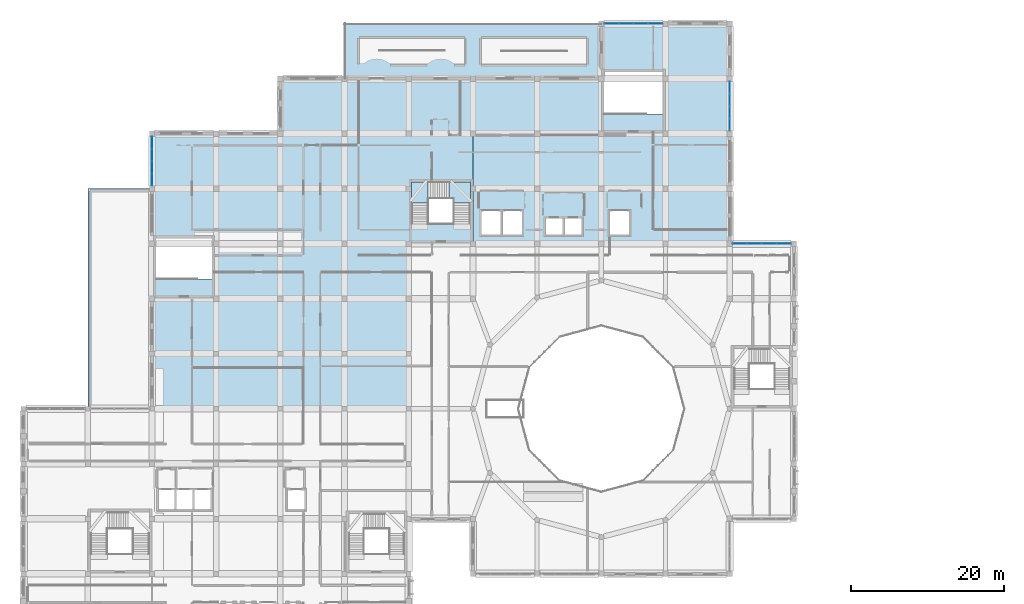
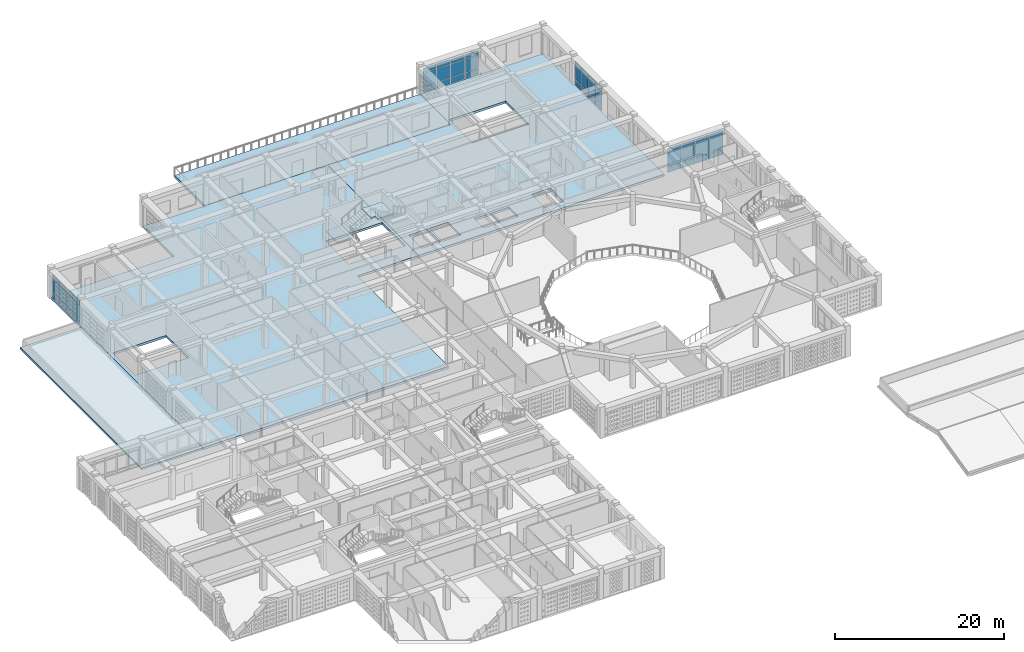
# One storey, part 34 of 79: 48 plates, 6 slabs, 5 elements without a shape of their own.
"""IFC4 building model written with IfcOpenShell, lengths in metres."""

from ifc_helpers import new_model, si_unit, derived_unit, direction, frame, origin, origin_2d, place, context, subcontext, project, spatial, polyline, rectangle, outline, extrude, material, layer, layer_set, type_object, element, aggregate, save


model = new_model("IFC4")

# Units and contexts
model_context = context("Model", 3, precision=1e-05, world=origin(), true_north=direction((0.0, 1.0)))
body_context = subcontext(model_context, "Body", "Model", "MODEL_VIEW")
ifc_project = project(units=[si_unit("LENGTHUNIT", "METRE"), si_unit("AREAUNIT", "SQUARE_METRE"), si_unit("VOLUMEUNIT", "CUBIC_METRE"), si_unit("PLANEANGLEUNIT", "RADIAN"), si_unit("MASSUNIT", "GRAM", prefix="KILO"), derived_unit("THERMALTRANSMITTANCEUNIT", [(si_unit("POWERUNIT", "WATT"), 1), (si_unit("LENGTHUNIT", "METRE"), -2), (si_unit("THERMODYNAMICTEMPERATUREUNIT", "KELVIN"), -1)])], contexts=[model_context])

# Site, building, storey
site_placement = place(None, origin())
site = spatial("IfcSite", under=ifc_project, at=site_placement, CompositionType="ELEMENT")
building_placement = place(site_placement, origin())
building = spatial("IfcBuilding", under=site, at=building_placement, Name="Veybourne Emporium", CompositionType="ELEMENT")
storey_placement = place(building_placement, frame((0.0, 0.0, 18.89990234375)))
storey = spatial("IfcBuildingStorey", under=building, at=storey_placement, Name="L04", CompositionType="ELEMENT", Elevation=18.89990234375)

# Curtain wall, plates
ifc_material_1 = material(Name="Patinated Architectural Bronze", Category="bronze")
curtain_wall_type_1 = type_object("IfcCurtainWallType", Name="CWSystem_CWS-27", PredefinedType="NOTDEFINED", material=ifc_material_1)
curtain_wall_1_placement = place(storey_placement, origin())
curtain_wall_1 = element("IfcCurtainWall", 1, at=curtain_wall_1_placement, inside=storey, type_object=curtain_wall_type_1, Name="L04 bronze glazed curtain wall CWS-27 (018)", PredefinedType="NOTDEFINED")
ifc_material_2 = material(Name="Low-E Triple Glazing", Category="glass")
ifc_layer_1 = layer(ifc_material_2, 0.028076171875)
ifc_layer_set_1 = layer_set([ifc_layer_1], Name="Low-E Triple Glazing")
plate_type = type_object("IfcPlateType", Name="CWPanel_CW-P1", PredefinedType="CURTAIN_PANEL", material=ifc_layer_set_1)
plate_1_placement = place(storey_placement, frame((16.800048828125, 80.382080078125, 0.078125), z_axis=(0.0, 0.0, 1.0), x_axis=(0.0, 1.0, 0.0)))
plate_1 = element("IfcPlate", 2, at=plate_1_placement, type_object=plate_type, Name="CWS-27 panel 1.1", PredefinedType="CURTAIN_PANEL", context=body_context, shape_type="SweptSolid", body=[
    extrude(rectangle(XDim=1.508056640625, YDim=0.028076171875, at=origin_2d()), origin(), (0.0, 0.0, 1.0), 0.782958984375),
])
plate_2_placement = place(storey_placement, frame((16.800048828125, 80.382080078125, 0.93896484375), z_axis=(0.0, 0.0, 1.0), x_axis=(0.0, 1.0, 0.0)))
plate_2 = element("IfcPlate", 3, at=plate_2_placement, type_object=plate_type, Name="CWS-27 panel 1.2", PredefinedType="CURTAIN_PANEL", context=body_context, shape_type="SweptSolid", body=[
    extrude(rectangle(XDim=1.508056640625, YDim=0.028076171875, at=origin_2d()), origin(), (0.0, 0.0, 1.0), 1.902099609375),
])
plate_3_placement = place(storey_placement, frame((16.800048828125, 80.382080078125, 2.9189453125), z_axis=(0.0, 0.0, 1.0), x_axis=(0.0, 1.0, 0.0)))
plate_3 = element("IfcPlate", 4, at=plate_3_placement, type_object=plate_type, Name="CWS-27 panel 1.3", PredefinedType="CURTAIN_PANEL", context=body_context, shape_type="SweptSolid", body=[
    extrude(rectangle(XDim=1.508056640625, YDim=0.028076171875, at=origin_2d()), origin(), (0.0, 0.0, 1.0), 0.633056640625),
])
plate_4_placement = place(storey_placement, frame((16.800048828125, 81.987548828125, 0.078125), z_axis=(0.0, 0.0, 1.0), x_axis=(0.0, 1.0, 0.0)))
plate_4 = element("IfcPlate", 5, at=plate_4_placement, type_object=plate_type, Name="CWS-27 panel 2.1", PredefinedType="CURTAIN_PANEL", context=body_context, shape_type="SweptSolid", body=[
    extrude(rectangle(XDim=1.547119140625, YDim=0.028076171875, at=origin_2d()), origin(), (0.0, 0.0, 1.0), 0.782958984375),
])
plate_5_placement = place(storey_placement, frame((16.800048828125, 81.987548828125, 0.93896484375), z_axis=(0.0, 0.0, 1.0), x_axis=(0.0, 1.0, 0.0)))
plate_5 = element("IfcPlate", 6, at=plate_5_placement, type_object=plate_type, Name="CWS-27 panel 2.2", PredefinedType="CURTAIN_PANEL", context=body_context, shape_type="SweptSolid", body=[
    extrude(rectangle(XDim=1.547119140625, YDim=0.028076171875, at=origin_2d()), origin(), (0.0, 0.0, 1.0), 1.902099609375),
])
plate_6_placement = place(storey_placement, frame((16.800048828125, 81.987548828125, 2.9189453125), z_axis=(0.0, 0.0, 1.0), x_axis=(0.0, 1.0, 0.0)))
plate_6 = element("IfcPlate", 7, at=plate_6_placement, type_object=plate_type, Name="CWS-27 panel 2.3", PredefinedType="CURTAIN_PANEL", context=body_context, shape_type="SweptSolid", body=[
    extrude(rectangle(XDim=1.547119140625, YDim=0.028076171875, at=origin_2d()), origin(), (0.0, 0.0, 1.0), 0.633056640625),
])
plate_7_placement = place(storey_placement, frame((16.800048828125, 83.612548828125, 0.078125), z_axis=(0.0, 0.0, 1.0), x_axis=(0.0, 1.0, 0.0)))
plate_7 = element("IfcPlate", 8, at=plate_7_placement, type_object=plate_type, Name="CWS-27 panel 3.1", PredefinedType="CURTAIN_PANEL", context=body_context, shape_type="SweptSolid", body=[
    extrude(rectangle(XDim=1.547119140625, YDim=0.028076171875, at=origin_2d()), origin(), (0.0, 0.0, 1.0), 0.782958984375),
])
plate_8_placement = place(storey_placement, frame((16.800048828125, 83.612548828125, 0.93896484375), z_axis=(0.0, 0.0, 1.0), x_axis=(0.0, 1.0, 0.0)))
plate_8 = element("IfcPlate", 9, at=plate_8_placement, type_object=plate_type, Name="CWS-27 panel 3.2", PredefinedType="CURTAIN_PANEL", context=body_context, shape_type="SweptSolid", body=[
    extrude(rectangle(XDim=1.547119140625, YDim=0.028076171875, at=origin_2d()), origin(), (0.0, 0.0, 1.0), 1.902099609375),
])
plate_9_placement = place(storey_placement, frame((16.800048828125, 83.612548828125, 2.9189453125), z_axis=(0.0, 0.0, 1.0), x_axis=(0.0, 1.0, 0.0)))
plate_9 = element("IfcPlate", 10, at=plate_9_placement, type_object=plate_type, Name="CWS-27 panel 3.3", PredefinedType="CURTAIN_PANEL", context=body_context, shape_type="SweptSolid", body=[
    extrude(rectangle(XDim=1.547119140625, YDim=0.028076171875, at=origin_2d()), origin(), (0.0, 0.0, 1.0), 0.633056640625),
])
plate_10_placement = place(storey_placement, frame((16.800048828125, 85.218017578125, 0.078125), z_axis=(0.0, 0.0, 1.0), x_axis=(0.0, 1.0, 0.0)))
plate_10 = element("IfcPlate", 11, at=plate_10_placement, type_object=plate_type, Name="CWS-27 panel 4.1", PredefinedType="CURTAIN_PANEL", context=body_context, shape_type="SweptSolid", body=[
    extrude(rectangle(XDim=1.508056640625, YDim=0.028076171875, at=origin_2d()), origin(), (0.0, 0.0, 1.0), 0.782958984375),
])
plate_11_placement = place(storey_placement, frame((16.800048828125, 85.218017578125, 0.93896484375), z_axis=(0.0, 0.0, 1.0), x_axis=(0.0, 1.0, 0.0)))
plate_11 = element("IfcPlate", 12, at=plate_11_placement, type_object=plate_type, Name="CWS-27 panel 4.2", PredefinedType="CURTAIN_PANEL", context=body_context, shape_type="SweptSolid", body=[
    extrude(rectangle(XDim=1.508056640625, YDim=0.028076171875, at=origin_2d()), origin(), (0.0, 0.0, 1.0), 1.902099609375),
])
plate_12_placement = place(storey_placement, frame((16.800048828125, 85.218017578125, 2.9189453125), z_axis=(0.0, 0.0, 1.0), x_axis=(0.0, 1.0, 0.0)))
plate_12 = element("IfcPlate", 13, at=plate_12_placement, type_object=plate_type, Name="CWS-27 panel 4.3", PredefinedType="CURTAIN_PANEL", context=body_context, shape_type="SweptSolid", body=[
    extrude(rectangle(XDim=1.508056640625, YDim=0.028076171875, at=origin_2d()), origin(), (0.0, 0.0, 1.0), 0.633056640625),
])
aggregate(curtain_wall_1, [plate_1, plate_2, plate_3, plate_4, plate_5, plate_6, plate_7, plate_8, plate_9, plate_10, plate_11, plate_12])

curtain_wall_type_2 = type_object("IfcCurtainWallType", Name="CWSystem_CWS-04", PredefinedType="NOTDEFINED", material=ifc_material_1)
curtain_wall_2_placement = place(storey_placement, origin())
curtain_wall_2 = element("IfcCurtainWall", 14, at=curtain_wall_2_placement, inside=storey, type_object=curtain_wall_type_2, Name="L04 bronze glazed curtain wall CWS-04 (039)", PredefinedType="NOTDEFINED")
plate_13_placement = place(storey_placement, frame((76.929931640625, 100.800048828125, 0.070068359375), z_axis=(0.0, 0.0, 1.0), x_axis=(1.0, 0.0, 0.0)))
plate_13 = element("IfcPlate", 15, at=plate_13_placement, type_object=plate_type, Name="CWS-04 panel 1.1", PredefinedType="CURTAIN_PANEL", context=body_context, shape_type="SweptSolid", body=[
    extrude(rectangle(XDim=1.820068359375, YDim=0.028076171875, at=origin_2d()), origin(), (0.0, 0.0, 1.0), 0.794921875),
])
plate_14_placement = place(storey_placement, frame((76.929931640625, 100.800048828125, 0.93505859375), z_axis=(0.0, 0.0, 1.0), x_axis=(1.0, 0.0, 0.0)))
plate_14 = element("IfcPlate", 16, at=plate_14_placement, type_object=plate_type, Name="CWS-04 panel 1.2", PredefinedType="CURTAIN_PANEL", context=body_context, shape_type="SweptSolid", body=[
    extrude(rectangle(XDim=1.820068359375, YDim=0.028076171875, at=origin_2d()), origin(), (0.0, 0.0, 1.0), 1.909912109375),
])
plate_15_placement = place(storey_placement, frame((76.929931640625, 100.800048828125, 2.9150390625), z_axis=(0.0, 0.0, 1.0), x_axis=(1.0, 0.0, 0.0)))
plate_15 = element("IfcPlate", 17, at=plate_15_placement, type_object=plate_type, Name="CWS-04 panel 1.3", PredefinedType="CURTAIN_PANEL", context=body_context, shape_type="SweptSolid", body=[
    extrude(rectangle(XDim=1.820068359375, YDim=0.028076171875, at=origin_2d()), origin(), (0.0, 0.0, 1.0), 0.64501953125),
])
plate_16_placement = place(storey_placement, frame((78.83740234375, 100.800048828125, 0.070068359375), z_axis=(0.0, 0.0, 1.0), x_axis=(1.0, 0.0, 0.0)))
plate_16 = element("IfcPlate", 18, at=plate_16_placement, type_object=plate_type, Name="CWS-04 panel 2.1", PredefinedType="CURTAIN_PANEL", context=body_context, shape_type="SweptSolid", body=[
    extrude(rectangle(XDim=1.85498046875, YDim=0.028076171875, at=origin_2d()), origin(), (0.0, 0.0, 1.0), 0.794921875),
])
plate_17_placement = place(storey_placement, frame((78.83740234375, 100.800048828125, 0.93505859375), z_axis=(0.0, 0.0, 1.0), x_axis=(1.0, 0.0, 0.0)))
plate_17 = element("IfcPlate", 19, at=plate_17_placement, type_object=plate_type, Name="CWS-04 panel 2.2", PredefinedType="CURTAIN_PANEL", context=body_context, shape_type="SweptSolid", body=[
    extrude(rectangle(XDim=1.85498046875, YDim=0.028076171875, at=origin_2d()), origin(), (0.0, 0.0, 1.0), 1.909912109375),
])
plate_18_placement = place(storey_placement, frame((78.83740234375, 100.800048828125, 2.9150390625), z_axis=(0.0, 0.0, 1.0), x_axis=(1.0, 0.0, 0.0)))
plate_18 = element("IfcPlate", 20, at=plate_18_placement, type_object=plate_type, Name="CWS-04 panel 2.3", PredefinedType="CURTAIN_PANEL", context=body_context, shape_type="SweptSolid", body=[
    extrude(rectangle(XDim=1.85498046875, YDim=0.028076171875, at=origin_2d()), origin(), (0.0, 0.0, 1.0), 0.64501953125),
])
plate_19_placement = place(storey_placement, frame((80.762451171875, 100.800048828125, 0.070068359375), z_axis=(0.0, 0.0, 1.0), x_axis=(1.0, 0.0, 0.0)))
plate_19 = element("IfcPlate", 21, at=plate_19_placement, type_object=plate_type, Name="CWS-04 panel 3.1", PredefinedType="CURTAIN_PANEL", context=body_context, shape_type="SweptSolid", body=[
    extrude(rectangle(XDim=1.85498046875, YDim=0.028076171875, at=origin_2d()), origin(), (0.0, 0.0, 1.0), 0.794921875),
])
plate_20_placement = place(storey_placement, frame((80.762451171875, 100.800048828125, 0.93505859375), z_axis=(0.0, 0.0, 1.0), x_axis=(1.0, 0.0, 0.0)))
plate_20 = element("IfcPlate", 22, at=plate_20_placement, type_object=plate_type, Name="CWS-04 panel 3.2", PredefinedType="CURTAIN_PANEL", context=body_context, shape_type="SweptSolid", body=[
    extrude(rectangle(XDim=1.85498046875, YDim=0.028076171875, at=origin_2d()), origin(), (0.0, 0.0, 1.0), 1.909912109375),
])
plate_21_placement = place(storey_placement, frame((80.762451171875, 100.800048828125, 2.9150390625), z_axis=(0.0, 0.0, 1.0), x_axis=(1.0, 0.0, 0.0)))
plate_21 = element("IfcPlate", 23, at=plate_21_placement, type_object=plate_type, Name="CWS-04 panel 3.3", PredefinedType="CURTAIN_PANEL", context=body_context, shape_type="SweptSolid", body=[
    extrude(rectangle(XDim=1.85498046875, YDim=0.028076171875, at=origin_2d()), origin(), (0.0, 0.0, 1.0), 0.64501953125),
])
plate_22_placement = place(storey_placement, frame((82.669921875, 100.800048828125, 0.070068359375), z_axis=(0.0, 0.0, 1.0), x_axis=(1.0, 0.0, 0.0)))
plate_22 = element("IfcPlate", 24, at=plate_22_placement, type_object=plate_type, Name="CWS-04 panel 4.1", PredefinedType="CURTAIN_PANEL", context=body_context, shape_type="SweptSolid", body=[
    extrude(rectangle(XDim=1.820068359375, YDim=0.028076171875, at=origin_2d()), origin(), (0.0, 0.0, 1.0), 0.794921875),
])
plate_23_placement = place(storey_placement, frame((82.669921875, 100.800048828125, 0.93505859375), z_axis=(0.0, 0.0, 1.0), x_axis=(1.0, 0.0, 0.0)))
plate_23 = element("IfcPlate", 25, at=plate_23_placement, type_object=plate_type, Name="CWS-04 panel 4.2", PredefinedType="CURTAIN_PANEL", context=body_context, shape_type="SweptSolid", body=[
    extrude(rectangle(XDim=1.820068359375, YDim=0.028076171875, at=origin_2d()), origin(), (0.0, 0.0, 1.0), 1.909912109375),
])
plate_24_placement = place(storey_placement, frame((82.669921875, 100.800048828125, 2.9150390625), z_axis=(0.0, 0.0, 1.0), x_axis=(1.0, 0.0, 0.0)))
plate_24 = element("IfcPlate", 26, at=plate_24_placement, type_object=plate_type, Name="CWS-04 panel 4.3", PredefinedType="CURTAIN_PANEL", context=body_context, shape_type="SweptSolid", body=[
    extrude(rectangle(XDim=1.820068359375, YDim=0.028076171875, at=origin_2d()), origin(), (0.0, 0.0, 1.0), 0.64501953125),
])
aggregate(curtain_wall_2, [plate_13, plate_14, plate_15, plate_16, plate_17, plate_18, plate_19, plate_20, plate_21, plate_22, plate_23, plate_24])

curtain_wall_type_3 = type_object("IfcCurtainWallType", Name="CWSystem_CWS-06", PredefinedType="NOTDEFINED", material=ifc_material_1)
curtain_wall_3_placement = place(storey_placement, origin())
curtain_wall_3 = element("IfcCurtainWall", 27, at=curtain_wall_3_placement, inside=storey, type_object=curtain_wall_type_3, Name="L04 bronze glazed curtain wall CWS-06 (045)", PredefinedType="NOTDEFINED")
plate_25_placement = place(storey_placement, frame((92.39990234375, 92.418701171875, 0.074951171875), z_axis=(0.0, 0.0, 1.0), x_axis=(0.0, -1.0, 0.0)))
plate_25 = element("IfcPlate", 28, at=plate_25_placement, type_object=plate_type, Name="CWS-06 panel 1.1", PredefinedType="CURTAIN_PANEL", context=body_context, shape_type="SweptSolid", body=[
    extrude(rectangle(XDim=1.512451171875, YDim=0.028076171875, at=origin_2d()), origin(), (0.0, 0.0, 1.0), 0.78759765625),
])
plate_26_placement = place(storey_placement, frame((92.39990234375, 92.418701171875, 0.9375), z_axis=(0.0, 0.0, 1.0), x_axis=(0.0, -1.0, 0.0)))
plate_26 = element("IfcPlate", 29, at=plate_26_placement, type_object=plate_type, Name="CWS-06 panel 1.2", PredefinedType="CURTAIN_PANEL", context=body_context, shape_type="SweptSolid", body=[
    extrude(rectangle(XDim=1.512451171875, YDim=0.028076171875, at=origin_2d()), origin(), (0.0, 0.0, 1.0), 1.905029296875),
])
plate_27_placement = place(storey_placement, frame((92.39990234375, 92.418701171875, 2.91748046875), z_axis=(0.0, 0.0, 1.0), x_axis=(0.0, -1.0, 0.0)))
plate_27 = element("IfcPlate", 30, at=plate_27_placement, type_object=plate_type, Name="CWS-06 panel 1.3", PredefinedType="CURTAIN_PANEL", context=body_context, shape_type="SweptSolid", body=[
    extrude(rectangle(XDim=1.512451171875, YDim=0.028076171875, at=origin_2d()), origin(), (0.0, 0.0, 1.0), 0.637451171875),
])
plate_28_placement = place(storey_placement, frame((92.39990234375, 90.8125, 0.074951171875), z_axis=(0.0, 0.0, 1.0), x_axis=(0.0, -1.0, 0.0)))
plate_28 = element("IfcPlate", 31, at=plate_28_placement, type_object=plate_type, Name="CWS-06 panel 2.1", PredefinedType="CURTAIN_PANEL", context=body_context, shape_type="SweptSolid", body=[
    extrude(rectangle(XDim=1.550048828125, YDim=0.028076171875, at=origin_2d()), origin(), (0.0, 0.0, 1.0), 0.78759765625),
])
plate_29_placement = place(storey_placement, frame((92.39990234375, 90.8125, 0.9375), z_axis=(0.0, 0.0, 1.0), x_axis=(0.0, -1.0, 0.0)))
plate_29 = element("IfcPlate", 32, at=plate_29_placement, type_object=plate_type, Name="CWS-06 panel 2.2", PredefinedType="CURTAIN_PANEL", context=body_context, shape_type="SweptSolid", body=[
    extrude(rectangle(XDim=1.550048828125, YDim=0.028076171875, at=origin_2d()), origin(), (0.0, 0.0, 1.0), 1.905029296875),
])
plate_30_placement = place(storey_placement, frame((92.39990234375, 90.8125, 2.91748046875), z_axis=(0.0, 0.0, 1.0), x_axis=(0.0, -1.0, 0.0)))
plate_30 = element("IfcPlate", 33, at=plate_30_placement, type_object=plate_type, Name="CWS-06 panel 2.3", PredefinedType="CURTAIN_PANEL", context=body_context, shape_type="SweptSolid", body=[
    extrude(rectangle(XDim=1.550048828125, YDim=0.028076171875, at=origin_2d()), origin(), (0.0, 0.0, 1.0), 0.637451171875),
])
plate_31_placement = place(storey_placement, frame((92.39990234375, 89.1875, 0.074951171875), z_axis=(0.0, 0.0, 1.0), x_axis=(0.0, -1.0, 0.0)))
plate_31 = element("IfcPlate", 34, at=plate_31_placement, type_object=plate_type, Name="CWS-06 panel 3.1", PredefinedType="CURTAIN_PANEL", context=body_context, shape_type="SweptSolid", body=[
    extrude(rectangle(XDim=1.550048828125, YDim=0.028076171875, at=origin_2d()), origin(), (0.0, 0.0, 1.0), 0.78759765625),
])
plate_32_placement = place(storey_placement, frame((92.39990234375, 89.1875, 0.9375), z_axis=(0.0, 0.0, 1.0), x_axis=(0.0, -1.0, 0.0)))
plate_32 = element("IfcPlate", 35, at=plate_32_placement, type_object=plate_type, Name="CWS-06 panel 3.2", PredefinedType="CURTAIN_PANEL", context=body_context, shape_type="SweptSolid", body=[
    extrude(rectangle(XDim=1.550048828125, YDim=0.028076171875, at=origin_2d()), origin(), (0.0, 0.0, 1.0), 1.905029296875),
])
plate_33_placement = place(storey_placement, frame((92.39990234375, 89.1875, 2.91748046875), z_axis=(0.0, 0.0, 1.0), x_axis=(0.0, -1.0, 0.0)))
plate_33 = element("IfcPlate", 36, at=plate_33_placement, type_object=plate_type, Name="CWS-06 panel 3.3", PredefinedType="CURTAIN_PANEL", context=body_context, shape_type="SweptSolid", body=[
    extrude(rectangle(XDim=1.550048828125, YDim=0.028076171875, at=origin_2d()), origin(), (0.0, 0.0, 1.0), 0.637451171875),
])
plate_34_placement = place(storey_placement, frame((92.39990234375, 87.581298828125, 0.074951171875), z_axis=(0.0, 0.0, 1.0), x_axis=(0.0, -1.0, 0.0)))
plate_34 = element("IfcPlate", 37, at=plate_34_placement, type_object=plate_type, Name="CWS-06 panel 4.1", PredefinedType="CURTAIN_PANEL", context=body_context, shape_type="SweptSolid", body=[
    extrude(rectangle(XDim=1.512451171875, YDim=0.028076171875, at=origin_2d()), origin(), (0.0, 0.0, 1.0), 0.78759765625),
])
plate_35_placement = place(storey_placement, frame((92.39990234375, 87.581298828125, 0.9375), z_axis=(0.0, 0.0, 1.0), x_axis=(0.0, -1.0, 0.0)))
plate_35 = element("IfcPlate", 38, at=plate_35_placement, type_object=plate_type, Name="CWS-06 panel 4.2", PredefinedType="CURTAIN_PANEL", context=body_context, shape_type="SweptSolid", body=[
    extrude(rectangle(XDim=1.512451171875, YDim=0.028076171875, at=origin_2d()), origin(), (0.0, 0.0, 1.0), 1.905029296875),
])
plate_36_placement = place(storey_placement, frame((92.39990234375, 87.581298828125, 2.91748046875), z_axis=(0.0, 0.0, 1.0), x_axis=(0.0, -1.0, 0.0)))
plate_36 = element("IfcPlate", 39, at=plate_36_placement, type_object=plate_type, Name="CWS-06 panel 4.3", PredefinedType="CURTAIN_PANEL", context=body_context, shape_type="SweptSolid", body=[
    extrude(rectangle(XDim=1.512451171875, YDim=0.028076171875, at=origin_2d()), origin(), (0.0, 0.0, 1.0), 0.637451171875),
])
aggregate(curtain_wall_3, [plate_25, plate_26, plate_27, plate_28, plate_29, plate_30, plate_31, plate_32, plate_33, plate_34, plate_35, plate_36])

curtain_wall_type_4 = type_object("IfcCurtainWallType", Name="CWSystem_CWS-08", PredefinedType="NOTDEFINED", material=ifc_material_1)
curtain_wall_4_placement = place(storey_placement, origin())
curtain_wall_4 = element("IfcCurtainWall", 40, at=curtain_wall_4_placement, inside=storey, type_object=curtain_wall_type_4, Name="L04 bronze glazed curtain wall CWS-08 (054)", PredefinedType="NOTDEFINED")
plate_37_placement = place(storey_placement, frame((93.72998046875, 72.0, 0.070068359375), z_axis=(0.0, 0.0, 1.0), x_axis=(1.0, 0.0, 0.0)))
plate_37 = element("IfcPlate", 41, at=plate_37_placement, type_object=plate_type, Name="CWS-08 panel 1.1", PredefinedType="CURTAIN_PANEL", context=body_context, shape_type="SweptSolid", body=[
    extrude(rectangle(XDim=1.820068359375, YDim=0.028076171875, at=origin_2d()), origin(), (0.0, 0.0, 1.0), 0.794921875),
])
plate_38_placement = place(storey_placement, frame((93.72998046875, 72.0, 0.93505859375), z_axis=(0.0, 0.0, 1.0), x_axis=(1.0, 0.0, 0.0)))
plate_38 = element("IfcPlate", 42, at=plate_38_placement, type_object=plate_type, Name="CWS-08 panel 1.2", PredefinedType="CURTAIN_PANEL", context=body_context, shape_type="SweptSolid", body=[
    extrude(rectangle(XDim=1.820068359375, YDim=0.028076171875, at=origin_2d()), origin(), (0.0, 0.0, 1.0), 1.909912109375),
])
plate_39_placement = place(storey_placement, frame((93.72998046875, 72.0, 2.9150390625), z_axis=(0.0, 0.0, 1.0), x_axis=(1.0, 0.0, 0.0)))
plate_39 = element("IfcPlate", 43, at=plate_39_placement, type_object=plate_type, Name="CWS-08 panel 1.3", PredefinedType="CURTAIN_PANEL", context=body_context, shape_type="SweptSolid", body=[
    extrude(rectangle(XDim=1.820068359375, YDim=0.028076171875, at=origin_2d()), origin(), (0.0, 0.0, 1.0), 0.64501953125),
])
plate_40_placement = place(storey_placement, frame((95.637451171875, 72.0, 0.070068359375), z_axis=(0.0, 0.0, 1.0), x_axis=(1.0, 0.0, 0.0)))
plate_40 = element("IfcPlate", 44, at=plate_40_placement, type_object=plate_type, Name="CWS-08 panel 2.1", PredefinedType="CURTAIN_PANEL", context=body_context, shape_type="SweptSolid", body=[
    extrude(rectangle(XDim=1.85498046875, YDim=0.028076171875, at=origin_2d()), origin(), (0.0, 0.0, 1.0), 0.794921875),
])
plate_41_placement = place(storey_placement, frame((95.637451171875, 72.0, 0.93505859375), z_axis=(0.0, 0.0, 1.0), x_axis=(1.0, 0.0, 0.0)))
plate_41 = element("IfcPlate", 45, at=plate_41_placement, type_object=plate_type, Name="CWS-08 panel 2.2", PredefinedType="CURTAIN_PANEL", context=body_context, shape_type="SweptSolid", body=[
    extrude(rectangle(XDim=1.85498046875, YDim=0.028076171875, at=origin_2d()), origin(), (0.0, 0.0, 1.0), 1.909912109375),
])
plate_42_placement = place(storey_placement, frame((95.637451171875, 72.0, 2.9150390625), z_axis=(0.0, 0.0, 1.0), x_axis=(1.0, 0.0, 0.0)))
plate_42 = element("IfcPlate", 46, at=plate_42_placement, type_object=plate_type, Name="CWS-08 panel 2.3", PredefinedType="CURTAIN_PANEL", context=body_context, shape_type="SweptSolid", body=[
    extrude(rectangle(XDim=1.85498046875, YDim=0.028076171875, at=origin_2d()), origin(), (0.0, 0.0, 1.0), 0.64501953125),
])
plate_43_placement = place(storey_placement, frame((97.5625, 72.0, 0.070068359375), z_axis=(0.0, 0.0, 1.0), x_axis=(1.0, 0.0, 0.0)))
plate_43 = element("IfcPlate", 47, at=plate_43_placement, type_object=plate_type, Name="CWS-08 panel 3.1", PredefinedType="CURTAIN_PANEL", context=body_context, shape_type="SweptSolid", body=[
    extrude(rectangle(XDim=1.85498046875, YDim=0.028076171875, at=origin_2d()), origin(), (0.0, 0.0, 1.0), 0.794921875),
])
plate_44_placement = place(storey_placement, frame((97.5625, 72.0, 0.93505859375), z_axis=(0.0, 0.0, 1.0), x_axis=(1.0, 0.0, 0.0)))
plate_44 = element("IfcPlate", 48, at=plate_44_placement, type_object=plate_type, Name="CWS-08 panel 3.2", PredefinedType="CURTAIN_PANEL", context=body_context, shape_type="SweptSolid", body=[
    extrude(rectangle(XDim=1.85498046875, YDim=0.028076171875, at=origin_2d()), origin(), (0.0, 0.0, 1.0), 1.909912109375),
])
plate_45_placement = place(storey_placement, frame((97.5625, 72.0, 2.9150390625), z_axis=(0.0, 0.0, 1.0), x_axis=(1.0, 0.0, 0.0)))
plate_45 = element("IfcPlate", 49, at=plate_45_placement, type_object=plate_type, Name="CWS-08 panel 3.3", PredefinedType="CURTAIN_PANEL", context=body_context, shape_type="SweptSolid", body=[
    extrude(rectangle(XDim=1.85498046875, YDim=0.028076171875, at=origin_2d()), origin(), (0.0, 0.0, 1.0), 0.64501953125),
])
plate_46_placement = place(storey_placement, frame((99.469970703125, 72.0, 0.070068359375), z_axis=(0.0, 0.0, 1.0), x_axis=(1.0, 0.0, 0.0)))
plate_46 = element("IfcPlate", 50, at=plate_46_placement, type_object=plate_type, Name="CWS-08 panel 4.1", PredefinedType="CURTAIN_PANEL", context=body_context, shape_type="SweptSolid", body=[
    extrude(rectangle(XDim=1.820068359375, YDim=0.028076171875, at=origin_2d()), origin(), (0.0, 0.0, 1.0), 0.794921875),
])
plate_47_placement = place(storey_placement, frame((99.469970703125, 72.0, 0.93505859375), z_axis=(0.0, 0.0, 1.0), x_axis=(1.0, 0.0, 0.0)))
plate_47 = element("IfcPlate", 51, at=plate_47_placement, type_object=plate_type, Name="CWS-08 panel 4.2", PredefinedType="CURTAIN_PANEL", context=body_context, shape_type="SweptSolid", body=[
    extrude(rectangle(XDim=1.820068359375, YDim=0.028076171875, at=origin_2d()), origin(), (0.0, 0.0, 1.0), 1.909912109375),
])
plate_48_placement = place(storey_placement, frame((99.469970703125, 72.0, 2.9150390625), z_axis=(0.0, 0.0, 1.0), x_axis=(1.0, 0.0, 0.0)))
plate_48 = element("IfcPlate", 52, at=plate_48_placement, type_object=plate_type, Name="CWS-08 panel 4.3", PredefinedType="CURTAIN_PANEL", context=body_context, shape_type="SweptSolid", body=[
    extrude(rectangle(XDim=1.820068359375, YDim=0.028076171875, at=origin_2d()), origin(), (0.0, 0.0, 1.0), 0.64501953125),
])
aggregate(curtain_wall_4, [plate_37, plate_38, plate_39, plate_40, plate_41, plate_42, plate_43, plate_44, plate_45, plate_46, plate_47, plate_48])

# Stair, slabs
ifc_material_3 = material(Name="Concrete C32/40", Category="concrete")
stair_type = type_object("IfcStairType", Name="Stair_ST-03-R30", PredefinedType="TWO_QUARTER_TURN_STAIR", material=ifc_material_3)
stair_placement = place(storey_placement, origin())
stair = element("IfcStair", 53, at=stair_placement, inside=storey, type_object=stair_type, Name="L04 stair ST-03", PredefinedType="TWO_QUARTER_TURN_STAIR")
ifc_layer_2 = layer(ifc_material_3, 0.199951171875)
ifc_layer_set_2 = layer_set([ifc_layer_2], Name="Concrete C32/40")
slab_type_1 = type_object("IfcSlabType", Name="Landing_LDG-01", PredefinedType="LANDING", material=ifc_layer_set_2)
slab_1_placement = place(storey_placement, frame((0.0, 0.0, 1.300048828125)))
slab_1 = element("IfcSlab", 54, at=slab_1_placement, type_object=slab_type_1, Name="ST-03-R30 landing 1", PredefinedType="LANDING", context=body_context, shape_type="SweptSolid", body=[
    extrude(outline(polyline([(50.75, 77.300048828125), (52.949951171875, 77.300048828125), (52.949951171875, 80.10009765625), (50.75, 80.10009765625), (50.75, 77.300048828125)])), origin(), (0.0, 0.0, 1.0), 0.199951171875),
])
slab_2_placement = place(storey_placement, frame((0.0, 0.0, 2.800048828125)))
slab_2 = element("IfcSlab", 55, at=slab_2_placement, type_object=slab_type_1, Name="ST-03-R30 landing 2", PredefinedType="LANDING", context=body_context, shape_type="SweptSolid", body=[
    extrude(outline(polyline([(55.64990234375, 77.89990234375), (56.25, 77.89990234375), (56.25, 77.300048828125), (58.449951171875, 77.300048828125), (58.449951171875, 80.10009765625), (55.64990234375, 80.10009765625), (55.64990234375, 77.89990234375)])), origin(), (0.0, 0.0, 1.0), 0.199951171875),
])
aggregate(stair, [slab_1, slab_2])

# Slabs
ifc_layer_3 = layer(ifc_material_3, 0.320068359375)
ifc_layer_set_3 = layer_set([ifc_layer_3], Name="Concrete C32/40")
slab_type_2 = type_object("IfcSlabType", Name="Slab_FS-02", PredefinedType="FLOOR", material=ifc_layer_set_3)
slab_3_placement = place(storey_placement, frame((0.0, 0.0, -0.31982421875)))
element("IfcSlab", 56, at=slab_3_placement, inside=storey, type_object=slab_type_2, Name="L04 floor slab FS-02 (V5W.1)", PredefinedType="FLOOR", context=body_context, shape_type="SweptSolid", body=[
    extrude(outline(polyline([(16.800048828125, 79.199951171875), (16.800048828125, 86.39990234375), (25.199951171875, 86.39990234375), (33.60009765625, 86.39990234375), (33.60009765625, 93.60009765625), (42.0, 93.60009765625), (50.39990234375, 93.60009765625), (58.800048828125, 93.60009765625), (58.800048828125, 86.39990234375), (58.800048828125, 79.199951171875), (58.800048828125, 72.0), (50.39990234375, 72.0), (50.39990234375, 64.800048828125), (50.39990234375, 57.60009765625), (50.39990234375, 50.39990234375), (42.0, 50.39990234375), (33.60009765625, 50.39990234375), (25.199951171875, 50.39990234375), (16.800048828125, 50.39990234375), (16.800048828125, 57.60009765625), (16.800048828125, 64.800048828125), (16.800048828125, 72.0), (16.800048828125, 79.199951171875)]), holes=[polyline([(24.64990234375, 67.39990234375), (24.64990234375, 72.699951171875), (17.35009765625, 72.699951171875), (17.35009765625, 67.39990234375), (24.64990234375, 67.39990234375)]), polyline([(50.75, 74.60009765625), (58.449951171875, 74.60009765625), (58.449951171875, 80.10009765625), (50.75, 80.10009765625), (50.75, 74.60009765625)])]), origin(), (0.0, 0.0, 1.0), 0.31982421875),
])
slab_4_placement = place(storey_placement, frame((0.0, 0.0, -0.31982421875)))
element("IfcSlab", 57, at=slab_4_placement, inside=storey, type_object=slab_type_2, Name="L04 floor slab FS-02 (V5E.1)", PredefinedType="FLOOR", context=body_context, shape_type="SweptSolid", body=[
    extrude(outline(polyline([(58.800048828125, 93.60009765625), (67.199951171875, 93.60009765625), (75.60009765625, 93.60009765625), (75.60009765625, 100.800048828125), (84.0, 100.800048828125), (92.39990234375, 100.800048828125), (92.39990234375, 93.60009765625), (92.39990234375, 86.39990234375), (92.39990234375, 79.199951171875), (92.39990234375, 72.0), (84.0, 72.0), (75.60009765625, 72.0), (67.199951171875, 72.0), (58.800048828125, 72.0), (58.800048828125, 79.199951171875), (58.800048828125, 86.39990234375), (58.800048828125, 93.60009765625)]), holes=[polyline([(68.300048828125, 73.14990234375), (70.550048828125, 73.14990234375), (70.550048828125, 75.300048828125), (68.300048828125, 75.300048828125), (68.300048828125, 73.14990234375)]), polyline([(73.0400390625, 73.14990234375), (73.0400390625, 75.300048828125), (70.7900390625, 75.300048828125), (70.7900390625, 73.14990234375), (73.0400390625, 73.14990234375)]), polyline([(59.89990234375, 73.14990234375), (62.449951171875, 73.14990234375), (62.449951171875, 76.25), (59.89990234375, 76.25), (59.89990234375, 73.14990234375)]), polyline([(62.68994140625, 73.14990234375), (65.239990234375, 73.14990234375), (65.239990234375, 76.25), (62.68994140625, 76.25), (62.68994140625, 73.14990234375)]), polyline([(79.25, 73.14990234375), (79.25, 76.25), (76.699951171875, 76.25), (76.699951171875, 73.14990234375), (79.25, 73.14990234375)]), polyline([(75.949951171875, 89.0), (83.64990234375, 89.0), (83.64990234375, 94.5), (75.949951171875, 94.5), (75.949951171875, 89.0)])]), origin(), (0.0, 0.0, 1.0), 0.31982421875),
])
ifc_layer_4 = layer(ifc_material_3, 0.260009765625)
ifc_layer_set_4 = layer_set([ifc_layer_4], Name="Concrete C32/40")
slab_type_3 = type_object("IfcSlabType", Name="Slab_RS-01", PredefinedType="ROOF", material=ifc_layer_set_4)
slab_5_placement = place(storey_placement, frame((0.0, 0.0, -0.260009765625)))
element("IfcSlab", 58, at=slab_5_placement, inside=storey, type_object=slab_type_3, Name="L04 flat roof slab 2", PredefinedType="ROOF", context=body_context, shape_type="SweptSolid", body=[
    extrude(outline(polyline([(8.39990234375, 64.800048828125), (8.39990234375, 72.0), (8.39990234375, 79.199951171875), (16.800048828125, 79.199951171875), (16.800048828125, 72.0), (16.800048828125, 64.800048828125), (16.800048828125, 57.60009765625), (16.800048828125, 50.39990234375), (8.39990234375, 50.39990234375), (8.39990234375, 57.60009765625), (8.39990234375, 64.800048828125)])), origin(), (0.0, 0.0, 1.0), 0.260009765625),
])
ifc_layer_5 = layer(ifc_material_3, 0.320068359375)
ifc_layer_set_5 = layer_set([ifc_layer_5], Name="Concrete C32/40")
slab_type_4 = type_object("IfcSlabType", Name="Slab_TS-01", PredefinedType="FLOOR", material=ifc_layer_set_5)
slab_6_placement = place(storey_placement, frame((0.0, 0.0, -0.31982421875)))
element("IfcSlab", 59, at=slab_6_placement, inside=storey, type_object=slab_type_4, Name="L04 planted roof garden terrace slab 1", PredefinedType="FLOOR", context=body_context, shape_type="SweptSolid", body=[
    extrude(outline(polyline([(50.39990234375, 100.800048828125), (58.800048828125, 100.800048828125), (67.199951171875, 100.800048828125), (75.60009765625, 100.800048828125), (75.60009765625, 93.60009765625), (67.199951171875, 93.60009765625), (58.800048828125, 93.60009765625), (50.39990234375, 93.60009765625), (42.0, 93.60009765625), (42.0, 100.800048828125), (50.39990234375, 100.800048828125)])), origin(), (0.0, 0.0, 1.0), 0.31982421875),
])

save(model, "model.ifc")
